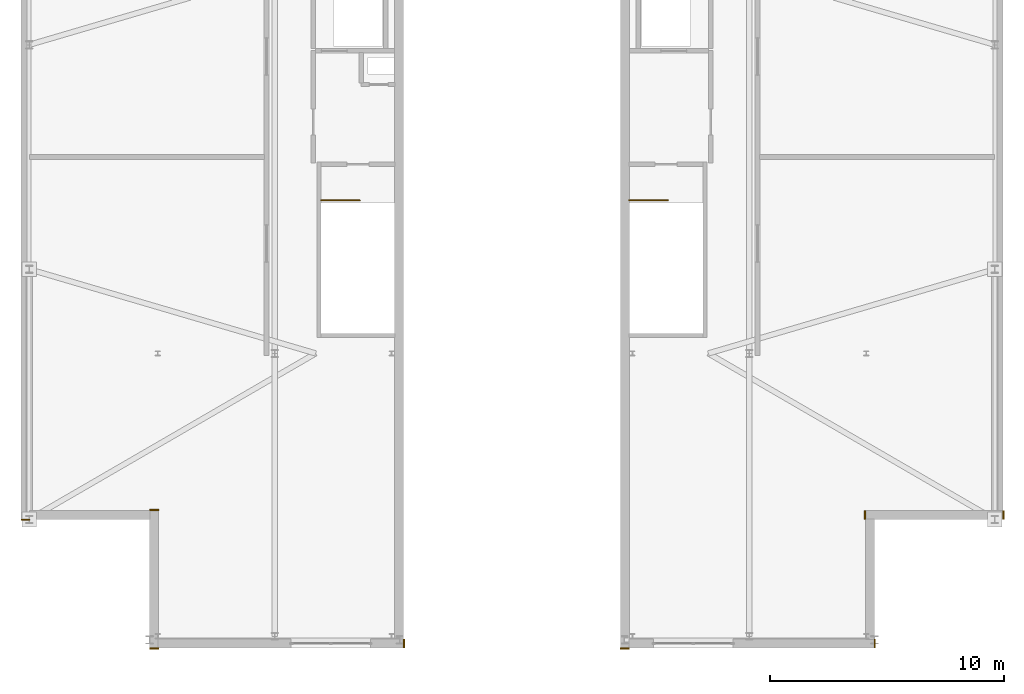
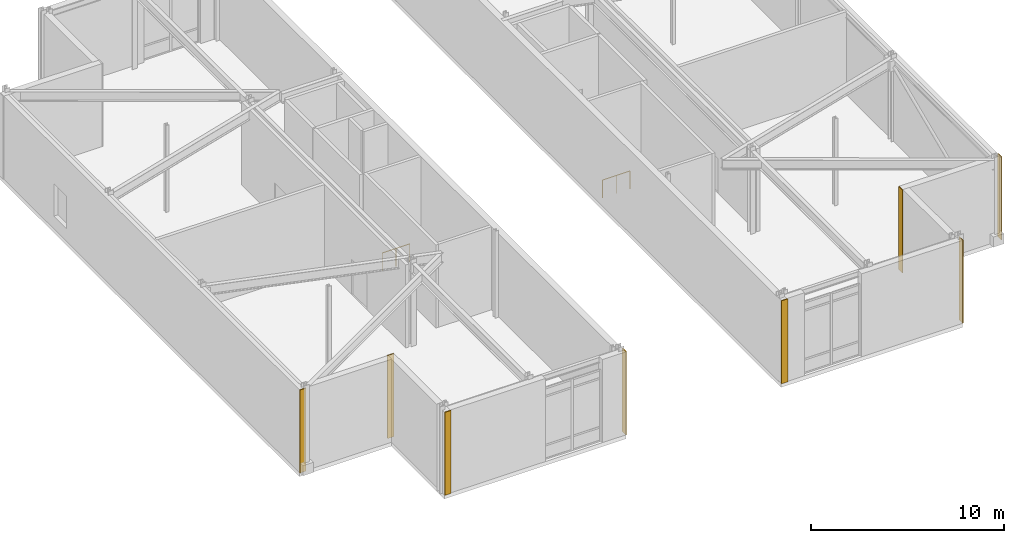
# One storey, part 13 of 14: 8 coverings, 2 railings.
"""IFC4 building model written with IfcOpenShell, lengths in metres."""

from ifc_helpers import new_model, si_unit, direction, frame, frame_2d, origin, origin_2d, place, context, subcontext, project, spatial, rectangle, circle, extrude, material, layer, layer_set, type_object, element, save


model = new_model("IFC4")

# Units and contexts
model_context = context("Model", 3, precision=1e-05, world=origin(), true_north=direction((0.0, 1.0)))
body_context = subcontext(model_context, "Body", "Model", "MODEL_VIEW")
ifc_project = project(units=[si_unit("LENGTHUNIT", "METRE"), si_unit("AREAUNIT", "SQUARE_METRE"), si_unit("VOLUMEUNIT", "CUBIC_METRE"), si_unit("PLANEANGLEUNIT", "RADIAN"), si_unit("MASSUNIT", "GRAM", prefix="KILO")], contexts=[model_context])

# Site, building, storey
site_placement = place(None, origin())
site = spatial("IfcSite", under=ifc_project, at=site_placement, CompositionType="ELEMENT")
building_placement = place(site_placement, origin())
building = spatial("IfcBuilding", under=site, at=building_placement, Name="Cairnveth Concourse Tower", CompositionType="ELEMENT")
storey_placement = place(building_placement, frame((0.0, 0.0, 330.0)))
storey = spatial("IfcBuildingStorey", under=building, at=storey_placement, Name="L90", CompositionType="ELEMENT", Elevation=330.0)

# Coverings
ifc_material_1 = material(Name="Dressed Melbourne Bluestone Cladding", Category="masonry")
ifc_layer = layer(ifc_material_1, 0.050048828125)
ifc_layer_set = layer_set([ifc_layer], Name="Dressed Melbourne Bluestone Cladding")
covering_type = type_object("IfcCoveringType", Name="DRESSED BLUESTONE PLINTH CLADDING 50", PredefinedType="CLADDING", material=ifc_layer_set)
for number, where, z_axis, x_axis, name in (
    (1, (36.8798828125, 17.97998046875, 0.0), (0.0, 0.0, 1.0), (-1.0, 0.0, 0.0), "Melbourne Bluestone Corner Quoin L90-1371"),
    (2, (36.8798828125, 23.89990234375, 0.0), (0.0, 0.0, 1.0), (-1.0, 0.0, 0.0), "Melbourne Bluestone Corner Quoin L90-1372"),
    (3, (31.3798828125, 23.47998046875, 0.0), (0.0, 0.0, 1.0), (-1.0, 0.0, 0.0), "Melbourne Bluestone Corner Quoin L90-1373"),
    (4, (47.3798828125, 18.3798828125, 0.0), (0.0, 0.0, 1.0), (0.0, -1.0, 0.0), "Melbourne Bluestone Corner Quoin L90-1378"),
):
    element("IfcCovering", number, at=place(storey_placement, frame(where, z_axis=z_axis, x_axis=x_axis)), inside=storey, type_object=covering_type, Name=name, PredefinedType="CLADDING", context=body_context, shape_type="SweptSolid", body=[
        extrude(rectangle(XDim=0.3798828125, YDim=0.050048828125, at=frame_2d((0.18994140625, 0.0))), origin(), (0.0, 0.0, 1.0), 5.25),
    ])
covering_placement = place(storey_placement, frame((57.02001953125, 17.97998046875, 0.0), z_axis=(0.0, 0.0, 1.0), x_axis=(-1.0, 0.0, 0.0)))
element("IfcCovering", 5, at=covering_placement, inside=storey, type_object=covering_type, Name="Melbourne Bluestone Corner Quoin L90-1379", PredefinedType="CLADDING", context=body_context, shape_type="SweptSolid", body=[
    extrude(rectangle(XDim=0.380126953125, YDim=0.050048828125, at=frame_2d((0.18994140625, 0.0))), origin(), (0.0, 0.0, 1.0), 5.25),
])
for number, where, z_axis, x_axis, name in (
    (6, (73.02001953125, 23.8798828125, 0.0), (0.0, 0.0, 1.0), (0.0, -1.0, 0.0), "Melbourne Bluestone Corner Quoin L90-1384"),
    (7, (67.10009765625, 23.8798828125, 0.0), (0.0, 0.0, 1.0), (0.0, -1.0, 0.0), "Melbourne Bluestone Corner Quoin L90-1385"),
    (8, (67.52001953125, 18.3798828125, 0.0), (0.0, 0.0, 1.0), (0.0, -1.0, 0.0), "Melbourne Bluestone Corner Quoin L90-1386"),
):
    element("IfcCovering", number, at=place(storey_placement, frame(where, z_axis=z_axis, x_axis=x_axis)), inside=storey, type_object=covering_type, Name=name, PredefinedType="CLADDING", context=body_context, shape_type="SweptSolid", body=[
        extrude(rectangle(XDim=0.3798828125, YDim=0.050048828125, at=frame_2d((0.18994140625, 0.0))), origin(), (0.0, 0.0, 1.0), 5.25),
    ])

# Railings
ifc_material_2 = material(Name="Steel Grade 350", Category="steel")
railing_type = type_object("IfcRailingType", Name="STAIR GUARDRAIL 1150", PredefinedType="GUARDRAIL", material=ifc_material_2)
for number, where, name in (
    (9, (43.840087890625, 37.14990234375, 0.0), "L90 ST-1 top well guard 1"),
    (10, (57.02001953125, 37.14990234375, 0.0), "L90 ST-2 top well guard 1"),
):
    element("IfcRailing", number, at=place(storey_placement, frame(where)), inside=storey, type_object=railing_type, Name=name, PredefinedType="GUARDRAIL", context=body_context, shape_type="SweptSolid", body=[
        extrude(circle(Radius=0.02392578125, at=origin_2d()), frame((0.0, 0.0, 1.1259765625), z_axis=(1.0, 0.0, 0.0), x_axis=(0.0, 1.0, 0.0)), (0.0, 0.0, 1.0), 1.639892578125),
        extrude(circle(Radius=0.02099609375, at=origin_2d()), origin(), (0.0, 0.0, 1.0), 1.101806640625),
        extrude(circle(Radius=0.02099609375, at=origin_2d()), frame((0.81982421875, 0.0, 0.0)), (0.0, 0.0, 1.0), 1.101806640625),
        extrude(circle(Radius=0.02099609375, at=origin_2d()), frame((1.639892578125, 0.0, 0.0)), (0.0, 0.0, 1.0), 1.101806640625),
    ])

save(model, "model.ifc")
